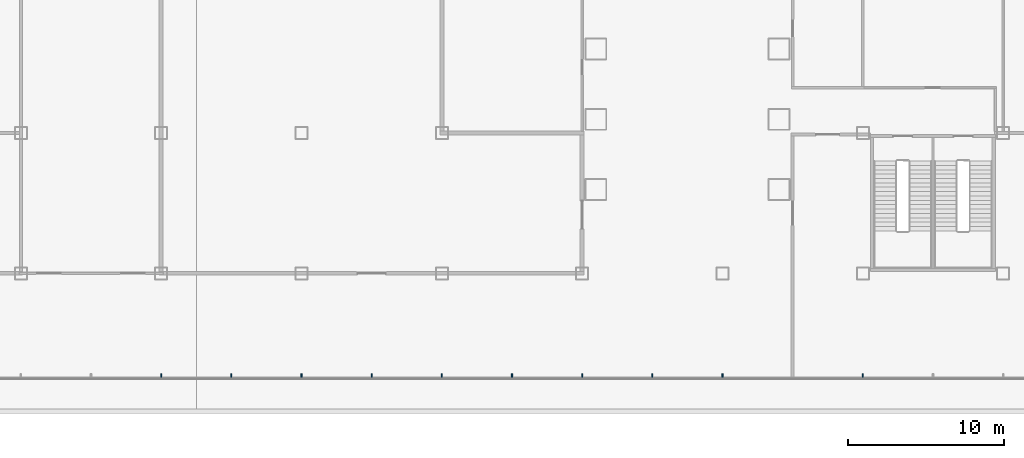
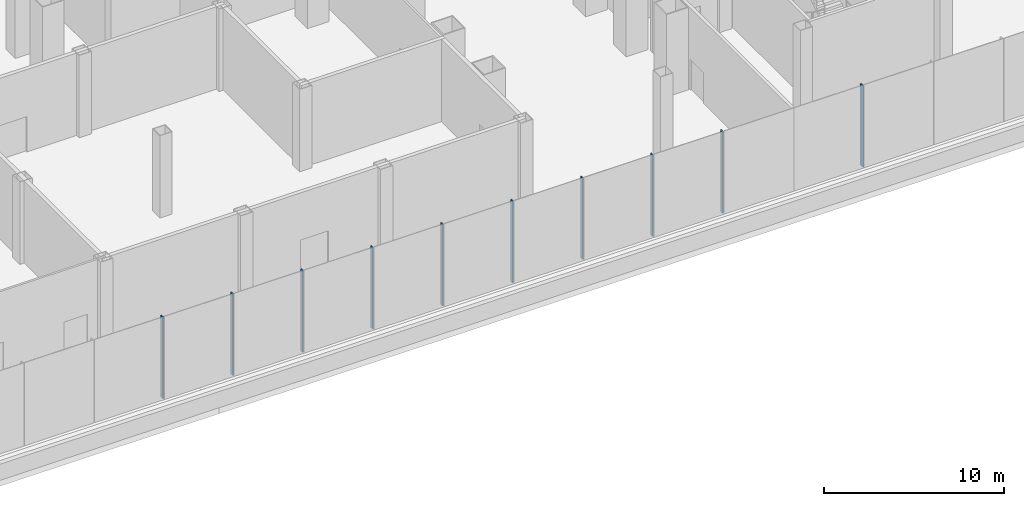
# One storey, part 9 of 38: 10 members, 1 element without a shape of its own.
"""IFC4 building model written with IfcOpenShell, lengths in metres."""

from ifc_helpers import new_model, si_unit, direction, frame, origin, origin_2d, place, context, subcontext, project, spatial, rectangle, extrude, material, layer, layer_set, material_profile, profile_set, type_object, element, aggregate, save


model = new_model("IFC4")

# Units and contexts
model_context = context("Model", 3, precision=1e-05, world=origin(), true_north=direction((0.0, 1.0)))
body_context = subcontext(model_context, "Body", "Model", "MODEL_VIEW")
ifc_project = project(units=[si_unit("LENGTHUNIT", "METRE"), si_unit("AREAUNIT", "SQUARE_METRE"), si_unit("VOLUMEUNIT", "CUBIC_METRE"), si_unit("PLANEANGLEUNIT", "RADIAN"), si_unit("MASSUNIT", "GRAM", prefix="KILO")], contexts=[model_context])

# Site, building, storey
site_placement = place(None, origin())
site = spatial("IfcSite", under=ifc_project, at=site_placement, CompositionType="ELEMENT")
building_placement = place(site_placement, origin())
building = spatial("IfcBuilding", under=site, at=building_placement, Name="Shamsa Quay Exchange Towers", CompositionType="ELEMENT")
storey_placement = place(building_placement, frame((0.0, 0.0, 12.5)))
storey = spatial("IfcBuildingStorey", under=building, at=storey_placement, Name="L02", CompositionType="ELEMENT", Elevation=12.5)

# Curtain wall, members
ifc_material = material(Name="Aluminium EN AW-6063 T6, black anodised", Category="aluminium")
ifc_layer = layer(ifc_material, 0.33203125)
ifc_layer_set = layer_set([ifc_layer], Name="CW-3 PODIUM SHOPFRONT GLAZING")
curtain_wall_type = type_object("IfcCurtainWallType", Name="CW-3 PODIUM SHOPFRONT GLAZING", PredefinedType="NOTDEFINED", material=ifc_layer_set)
curtain_wall_placement = place(storey_placement, origin())
curtain_wall = element("IfcCurtainWall", 1, at=curtain_wall_placement, inside=storey, type_object=curtain_wall_type, Name="CW3 PODIUM-L02-F03", PredefinedType="NOTDEFINED")
ifc_material_profile = material_profile(ifc_material, rectangle(XDim=0.219970703125, YDim=0.080078125, at=origin_2d()), Name="MU80x220")
ifc_profile_set = profile_set([ifc_material_profile], Name="Aluminium EN AW-6063 T6, black anodised")
member_type = type_object("IfcMemberType", Name="CW3 MULLION 80x220", PredefinedType="MULLION", material=ifc_profile_set)
member_1_placement = place(storey_placement, frame((0.0, -35.81005859375, 0.0), z_axis=(0.0, 0.0, 1.0), x_axis=(0.0, 1.0, 0.0)))
member_1 = element("IfcMember", 2, at=member_1_placement, type_object=member_type, Name="CW3 mullion", PredefinedType="MULLION", context=body_context, shape_type="SweptSolid", body=[
    extrude(rectangle(XDim=0.219970703125, YDim=0.080078125, at=origin_2d()), origin(), (0.0, 0.0, 1.0), 5.550048828125),
])
member_2_placement = place(storey_placement, frame((4.5, -35.81005859375, 0.0), z_axis=(0.0, 0.0, 1.0), x_axis=(0.0, 1.0, 0.0)))
member_2 = element("IfcMember", 3, at=member_2_placement, type_object=member_type, Name="CW3 mullion", PredefinedType="MULLION", context=body_context, shape_type="SweptSolid", body=[
    extrude(rectangle(XDim=0.219970703125, YDim=0.080078125, at=origin_2d()), origin(), (0.0, 0.0, 1.0), 5.550048828125),
])
member_3_placement = place(storey_placement, frame((9.0, -35.81005859375, 0.0), z_axis=(0.0, 0.0, 1.0), x_axis=(0.0, 1.0, 0.0)))
member_3 = element("IfcMember", 4, at=member_3_placement, type_object=member_type, Name="CW3 mullion", PredefinedType="MULLION", context=body_context, shape_type="SweptSolid", body=[
    extrude(rectangle(XDim=0.219970703125, YDim=0.080078125, at=origin_2d()), origin(), (0.0, 0.0, 1.0), 5.550048828125),
])
member_4_placement = place(storey_placement, frame((13.5, -35.81005859375, 0.0), z_axis=(0.0, 0.0, 1.0), x_axis=(0.0, 1.0, 0.0)))
member_4 = element("IfcMember", 5, at=member_4_placement, type_object=member_type, Name="CW3 mullion", PredefinedType="MULLION", context=body_context, shape_type="SweptSolid", body=[
    extrude(rectangle(XDim=0.219970703125, YDim=0.080078125, at=origin_2d()), origin(), (0.0, 0.0, 1.0), 5.550048828125),
])
member_5_placement = place(storey_placement, frame((18.0, -35.81005859375, 0.0), z_axis=(0.0, 0.0, 1.0), x_axis=(0.0, 1.0, 0.0)))
member_5 = element("IfcMember", 6, at=member_5_placement, type_object=member_type, Name="CW3 mullion", PredefinedType="MULLION", context=body_context, shape_type="SweptSolid", body=[
    extrude(rectangle(XDim=0.219970703125, YDim=0.080078125, at=origin_2d()), origin(), (0.0, 0.0, 1.0), 5.550048828125),
])
member_6_placement = place(storey_placement, frame((22.5, -35.81005859375, 0.0), z_axis=(0.0, 0.0, 1.0), x_axis=(0.0, 1.0, 0.0)))
member_6 = element("IfcMember", 7, at=member_6_placement, type_object=member_type, Name="CW3 mullion", PredefinedType="MULLION", context=body_context, shape_type="SweptSolid", body=[
    extrude(rectangle(XDim=0.219970703125, YDim=0.080078125, at=origin_2d()), origin(), (0.0, 0.0, 1.0), 5.550048828125),
])
member_7_placement = place(storey_placement, frame((27.0, -35.81005859375, 0.0), z_axis=(0.0, 0.0, 1.0), x_axis=(0.0, 1.0, 0.0)))
member_7 = element("IfcMember", 8, at=member_7_placement, type_object=member_type, Name="CW3 mullion", PredefinedType="MULLION", context=body_context, shape_type="SweptSolid", body=[
    extrude(rectangle(XDim=0.219970703125, YDim=0.080078125, at=origin_2d()), origin(), (0.0, 0.0, 1.0), 5.550048828125),
])
member_8_placement = place(storey_placement, frame((31.5, -35.81005859375, 0.0), z_axis=(0.0, 0.0, 1.0), x_axis=(0.0, 1.0, 0.0)))
member_8 = element("IfcMember", 9, at=member_8_placement, type_object=member_type, Name="CW3 mullion", PredefinedType="MULLION", context=body_context, shape_type="SweptSolid", body=[
    extrude(rectangle(XDim=0.219970703125, YDim=0.080078125, at=origin_2d()), origin(), (0.0, 0.0, 1.0), 5.550048828125),
])
member_9_placement = place(storey_placement, frame((36.0, -35.81005859375, 0.0), z_axis=(0.0, 0.0, 1.0), x_axis=(0.0, 1.0, 0.0)))
member_9 = element("IfcMember", 10, at=member_9_placement, type_object=member_type, Name="CW3 mullion", PredefinedType="MULLION", context=body_context, shape_type="SweptSolid", body=[
    extrude(rectangle(XDim=0.219970703125, YDim=0.080078125, at=origin_2d()), origin(), (0.0, 0.0, 1.0), 5.550048828125),
])
member_10_placement = place(storey_placement, frame((45.0, -35.81005859375, 0.0), z_axis=(0.0, 0.0, 1.0), x_axis=(0.0, 1.0, 0.0)))
member_10 = element("IfcMember", 11, at=member_10_placement, type_object=member_type, Name="CW3 mullion", PredefinedType="MULLION", context=body_context, shape_type="SweptSolid", body=[
    extrude(rectangle(XDim=0.219970703125, YDim=0.080078125, at=origin_2d()), origin(), (0.0, 0.0, 1.0), 5.550048828125),
])
aggregate(curtain_wall, [member_1, member_2, member_3, member_4, member_5, member_6, member_7, member_8, member_9, member_10])

save(model, "model.ifc")
